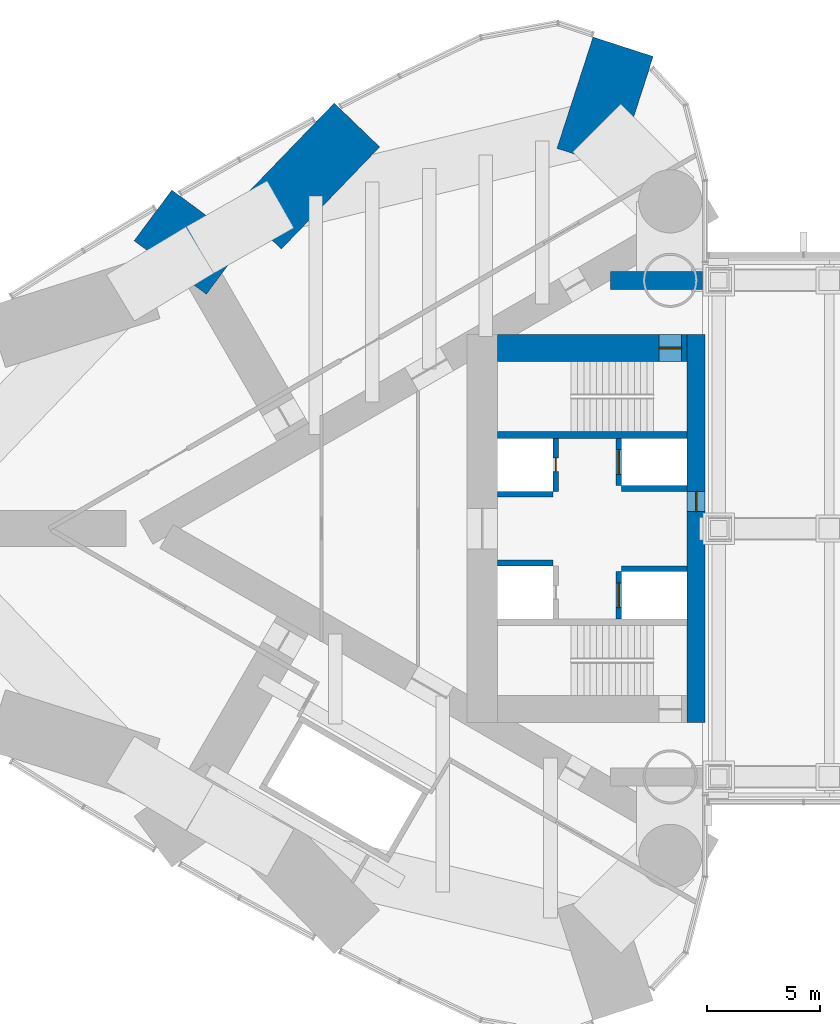
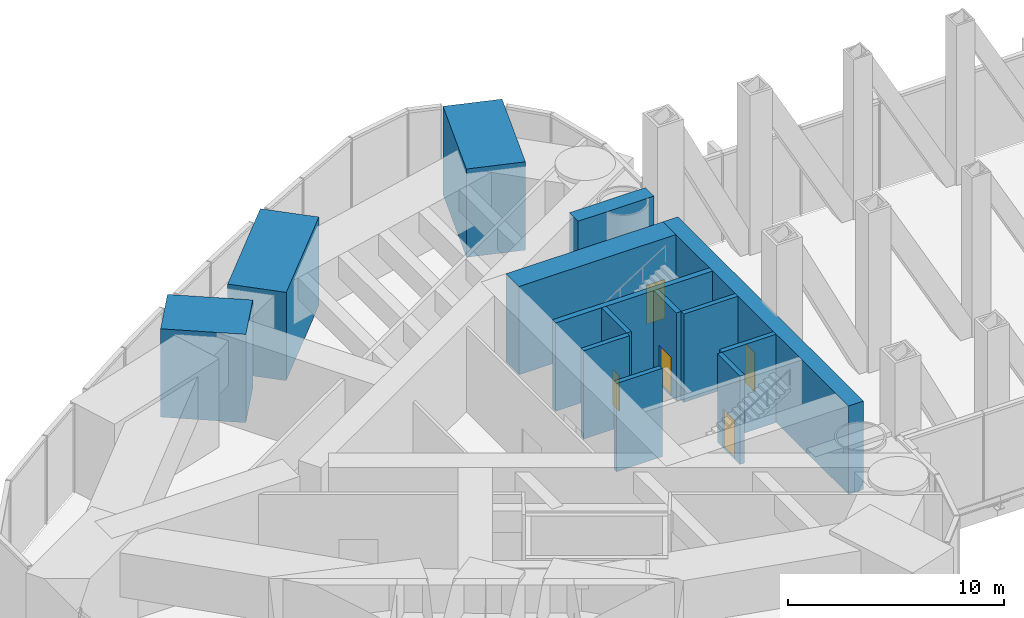
# One storey, part 17 of 21: 14 walls, 5 doors, 5 openings.
"""IFC4 building model written with IfcOpenShell, lengths in metres."""

from ifc_helpers import new_model, si_unit, direction, frame, frame_2d, origin, place, context, subcontext, project, spatial, rectangle, extrude, material, layer, layer_set, type_object, element, fill, save


model = new_model("IFC4")

# Units and contexts
model_context = context("Model", 3, precision=1e-05, world=origin(), true_north=direction((0.0, 1.0)))
body_context = subcontext(model_context, "Body", "Model", "MODEL_VIEW")
ifc_project = project(units=[si_unit("LENGTHUNIT", "METRE"), si_unit("AREAUNIT", "SQUARE_METRE"), si_unit("VOLUMEUNIT", "CUBIC_METRE"), si_unit("PLANEANGLEUNIT", "RADIAN"), si_unit("MASSUNIT", "GRAM", prefix="KILO")], contexts=[model_context])

# Site, building, storey
site_placement = place(None, origin())
site = spatial("IfcSite", under=ifc_project, at=site_placement, CompositionType="ELEMENT")
building_placement = place(site_placement, origin())
building = spatial("IfcBuilding", under=site, at=building_placement, Name="Lancet Gate Hotel", CompositionType="ELEMENT")
storey_placement = place(building_placement, frame((0.0, 0.0, 205.300048828125)))
storey = spatial("IfcBuildingStorey", under=building, at=storey_placement, Name="L55", CompositionType="ELEMENT", Elevation=205.300048828125)

# Wall, opening, door
ifc_material_1 = material(Name="Concrete C70/85", Category="concrete")
ifc_layer_1 = layer(ifc_material_1, 1.199951171875)
ifc_layer_set_1 = layer_set([ifc_layer_1], Name="Core wall 1200")
wall_type_1 = type_object("IfcWallType", Name="Core wall 1200", PredefinedType="SHEAR", material=ifc_layer_set_1)
wall_1_placement = place(storey_placement, frame((-28.300048828125, 8.0, 0.0), z_axis=(0.0, 0.0, 1.0), x_axis=(-1.0, 0.0, 0.0)))
wall_1 = element("IfcWall", 1, at=wall_1_placement, inside=storey, type_object=wall_type_1, Name="T1 core wall side-S L55", PredefinedType="SHEAR", context=body_context, shape_type="SweptSolid", body=[
    extrude(rectangle(XDim=8.39990234375, YDim=1.199951171875, at=frame_2d((4.199951171875, 0.0))), origin(), (0.0, 0.0, 1.0), 5.0),
])
opening_1_placement = place(wall_1_placement, frame((0.25, 0.0, 0.0)))
opening_1 = element("IfcOpeningElement", 2, at=opening_1_placement, cuts=wall_1, Name="Opening T1-L55-ST1", PredefinedType="OPENING", context=body_context, shape_type="SweptSolid", body=[
    extrude(rectangle(XDim=1.0, YDim=2.199951171875, at=frame_2d((0.5, 1.10009765625))), frame((0.0, 0.60986328125, 0.0), z_axis=(0.0, -1.0, 0.0), x_axis=(1.0, 0.0, 0.0)), (0.0, 0.0, 1.0), 1.219970703125),
])
ifc_material_2 = material(Name="Timber door set", Category="wood")
door_type_1 = type_object("IfcDoorType", Name="Stair door 1000", OperationType="SINGLE_SWING_RIGHT", PredefinedType="DOOR", material=ifc_material_2)
door_1_placement = place(opening_1_placement, origin())
door_1 = element("IfcDoor", 3, at=door_1_placement, inside=storey, type_object=door_type_1, Name="T1-L55-ST1", OperationType="SINGLE_SWING_RIGHT", OverallHeight=2.199951171875, OverallWidth=1.0, PredefinedType="DOOR", context=body_context, shape_type="SweptSolid", body=[
    extrude(rectangle(XDim=1.0, YDim=2.199951171875, at=frame_2d((0.5, 1.10009765625))), frame((0.0, 0.02490234375, 0.0), z_axis=(0.0, -1.0, 0.0), x_axis=(1.0, 0.0, 0.0)), (0.0, 0.0, 1.0), 0.050048828125),
])
fill(opening_1, door_1)

ifc_material_3 = material(Name="Concrete C70/85", Category="concrete")
ifc_layer_2 = layer(ifc_material_3, 0.800048828125)
ifc_layer_set_2 = layer_set([ifc_layer_2], Name="Core wall 800")
wall_type_2 = type_object("IfcWallType", Name="Core wall 800", PredefinedType="SHEAR", material=ifc_layer_set_2)
wall_2_placement = place(storey_placement, frame((-27.89990234375, 8.60009765625, 0.0), z_axis=(0.0, 0.0, 1.0), x_axis=(0.0, -1.0, 0.0)))
wall_2 = element("IfcWall", 4, at=wall_2_placement, inside=storey, type_object=wall_type_2, Name="T1 core wall front L55", PredefinedType="SHEAR", context=body_context, shape_type="SweptSolid", body=[
    extrude(rectangle(XDim=17.2001953125, YDim=0.800048828125, at=frame_2d((8.60009765625, 0.0))), origin(), (0.0, 0.0, 1.0), 5.0),
])
opening_2_placement = place(wall_2_placement, frame((6.949951171875, 0.0, 0.0)))
opening_2 = element("IfcOpeningElement", 5, at=opening_2_placement, cuts=wall_2, Name="Opening T1-L55-BR", PredefinedType="OPENING", context=body_context, shape_type="SweptSolid", body=[
    extrude(rectangle(XDim=0.89990234375, YDim=2.199951171875, at=frame_2d((0.449951171875, 1.10009765625))), frame((0.0, 0.409912109375, 0.0), z_axis=(0.0, -1.0, 0.0), x_axis=(1.0, 0.0, 0.0)), (0.0, 0.0, 1.0), 0.820068359375),
])
ifc_material_4 = material(Name="Steel door set", Category="steel")
door_type_2 = type_object("IfcDoorType", Name="Bridge fire door 900", OperationType="SINGLE_SWING_LEFT", PredefinedType="DOOR", material=ifc_material_4)
door_2_placement = place(opening_2_placement, origin())
door_2 = element("IfcDoor", 6, at=door_2_placement, inside=storey, type_object=door_type_2, Name="T1-L55-BR", OperationType="SINGLE_SWING_LEFT", OverallHeight=2.199951171875, OverallWidth=0.89990234375, PredefinedType="DOOR", context=body_context, shape_type="SweptSolid", body=[
    extrude(rectangle(XDim=0.89990234375, YDim=2.199951171875, at=frame_2d((0.449951171875, 1.10009765625))), frame((0.0, 0.02490234375, 0.0), z_axis=(0.0, -1.0, 0.0), x_axis=(1.0, 0.0, 0.0)), (0.0, 0.0, 1.0), 0.050048828125),
])
fill(opening_2, door_2)

ifc_material_5 = material(Name="Concrete C50/60", Category="concrete")
ifc_layer_3 = layer(ifc_material_5, 0.25)
ifc_layer_set_3 = layer_set([ifc_layer_3], Name="Lift shaft wall 250")
wall_type_3 = type_object("IfcWallType", Name="Lift shaft wall 250", PredefinedType="SHEAR", material=ifc_layer_set_3)
wall_3_placement = place(storey_placement, frame((-31.324951171875, 4.0, 0.0), z_axis=(0.0, 0.0, 1.0), x_axis=(0.0, -1.0, 0.0)))
wall_3 = element("IfcWall", 7, at=wall_3_placement, inside=storey, type_object=wall_type_3, Name="T1 core wall row1-S L55", PredefinedType="SHEAR", context=body_context, shape_type="SweptSolid", body=[
    extrude(rectangle(XDim=2.10009765625, YDim=0.25, at=frame_2d((1.050048828125, 0.0))), origin(), (0.0, 0.0, 1.0), 5.0),
])
opening_3_placement = place(wall_3_placement, frame((0.5, 0.0, 0.0)))
opening_3 = element("IfcOpeningElement", 8, at=opening_3_placement, cuts=wall_3, Name="Opening T1-SL1-L55", PredefinedType="OPENING", context=body_context, shape_type="SweptSolid", body=[
    extrude(rectangle(XDim=1.10009765625, YDim=2.199951171875, at=frame_2d((0.550048828125, 1.10009765625))), frame((0.0, 0.135009765625, 0.0), z_axis=(0.0, -1.0, 0.0), x_axis=(1.0, 0.0, 0.0)), (0.0, 0.0, 1.0), 0.27001953125),
])
ifc_material_6 = material(Name="Timber door set", Category="wood")
door_type_3 = type_object("IfcDoorType", Name="Service lift landing door 1100", OperationType="SLIDING_TO_LEFT", PredefinedType="USERDEFINED", material=ifc_material_6)
door_3_placement = place(opening_3_placement, origin())
door_3 = element("IfcDoor", 9, at=door_3_placement, inside=storey, type_object=door_type_3, Name="T1-SL1-L55", ObjectType="LIFT LANDING DOOR", OperationType="SLIDING_TO_LEFT", OverallHeight=2.199951171875, OverallWidth=1.10009765625, PredefinedType="USERDEFINED", context=body_context, shape_type="SweptSolid", body=[
    extrude(rectangle(XDim=1.10009765625, YDim=2.199951171875, at=frame_2d((0.550048828125, 1.10009765625))), frame((0.0, 0.02490234375, 0.0), z_axis=(0.0, -1.0, 0.0), x_axis=(1.0, 0.0, 0.0)), (0.0, 0.0, 1.0), 0.050048828125),
])
fill(opening_3, door_3)

wall_4_placement = place(storey_placement, frame((-34.125, 4.0, 0.0), z_axis=(0.0, 0.0, 1.0), x_axis=(0.0, -1.0, 0.0)))
wall_4 = element("IfcWall", 10, at=wall_4_placement, inside=storey, type_object=wall_type_3, Name="T1 core wall row2-S L55", PredefinedType="SHEAR", context=body_context, shape_type="SweptSolid", body=[
    extrude(rectangle(XDim=2.35009765625, YDim=0.25, at=frame_2d((1.175048828125, 0.0))), origin(), (0.0, 0.0, 1.0), 5.0),
])
opening_4_placement = place(wall_4_placement, frame((0.875, 0.0, 0.0)))
opening_4 = element("IfcOpeningElement", 11, at=opening_4_placement, cuts=wall_4, Name="Opening T1-OL3-L55-E", PredefinedType="OPENING", context=body_context, shape_type="SweptSolid", body=[
    extrude(rectangle(XDim=0.60009765625, YDim=2.0, at=frame_2d((0.300048828125, 1.0))), frame((0.0, 0.135009765625, 0.0), z_axis=(0.0, -1.0, 0.0), x_axis=(1.0, 0.0, 0.0)), (0.0, 0.0, 1.0), 0.27001953125),
])
ifc_material_7 = material(Name="Steel door set", Category="steel")
door_type_4 = type_object("IfcDoorType", Name="Lift shaft emergency door 600x2000", OperationType="SLIDING_TO_LEFT", PredefinedType="DOOR", material=ifc_material_7)
door_4_placement = place(opening_4_placement, origin())
door_4 = element("IfcDoor", 12, at=door_4_placement, inside=storey, type_object=door_type_4, Name="T1-OL3-L55-E", OperationType="SLIDING_TO_LEFT", OverallHeight=2.0, OverallWidth=0.60009765625, PredefinedType="DOOR", context=body_context, shape_type="SweptSolid", body=[
    extrude(rectangle(XDim=0.60009765625, YDim=2.0, at=frame_2d((0.300048828125, 1.0))), frame((0.0, 0.02490234375, 0.0), z_axis=(0.0, -1.0, 0.0), x_axis=(1.0, 0.0, 0.0)), (0.0, 0.0, 1.0), 0.050048828125),
])
fill(opening_4, door_4)

# Walls
wall_5_placement = place(storey_placement, frame((-28.300048828125, 1.77490234375, 0.0), z_axis=(0.0, 0.0, 1.0), x_axis=(-1.0, 0.0, 0.0)))
element("IfcWall", 13, at=wall_5_placement, inside=storey, type_object=wall_type_3, Name="T1 core wall pass1-S L55", PredefinedType="SHEAR", context=body_context, shape_type="SweptSolid", body=[
    extrude(rectangle(XDim=2.89990234375, YDim=0.25, at=frame_2d((1.449951171875, 0.0))), origin(), (0.0, 0.0, 1.0), 5.0),
])
wall_6_placement = place(storey_placement, frame((-34.25, 1.52490234375, 0.0), z_axis=(0.0, 0.0, 1.0), x_axis=(-1.0, 0.0, 0.0)))
element("IfcWall", 14, at=wall_6_placement, inside=storey, type_object=wall_type_3, Name="T1 core wall pass2-S L55", PredefinedType="SHEAR", context=body_context, shape_type="SweptSolid", body=[
    extrude(rectangle(XDim=2.449951171875, YDim=0.25, at=frame_2d((1.22509765625, 0.0))), origin(), (0.0, 0.0, 1.0), 5.0),
])

# Wall, opening, door
wall_7_placement = place(storey_placement, frame((-31.324951171875, -1.89990234375, 0.0), z_axis=(0.0, 0.0, 1.0), x_axis=(0.0, -1.0, 0.0)))
wall_7 = element("IfcWall", 15, at=wall_7_placement, inside=storey, type_object=wall_type_3, Name="T1 core wall row1-N L55", PredefinedType="SHEAR", context=body_context, shape_type="SweptSolid", body=[
    extrude(rectangle(XDim=2.10009765625, YDim=0.25, at=frame_2d((1.050048828125, 0.0))), origin(), (0.0, 0.0, 1.0), 5.0),
])
opening_5_placement = place(wall_7_placement, frame((0.5, 0.0, 0.0)))
opening_5 = element("IfcOpeningElement", 16, at=opening_5_placement, cuts=wall_7, Name="Opening T1-FL2-L55", PredefinedType="OPENING", context=body_context, shape_type="SweptSolid", body=[
    extrude(rectangle(XDim=1.10009765625, YDim=2.199951171875, at=frame_2d((0.550048828125, 1.10009765625))), frame((0.0, 0.135009765625, 0.0), z_axis=(0.0, -1.0, 0.0), x_axis=(1.0, 0.0, 0.0)), (0.0, 0.0, 1.0), 0.27001953125),
])
ifc_material_8 = material(Name="Steel door set", Category="steel")
door_type_5 = type_object("IfcDoorType", Name="Firefighting lift landing door 1100", OperationType="SLIDING_TO_LEFT", PredefinedType="USERDEFINED", material=ifc_material_8)
door_5_placement = place(opening_5_placement, origin())
door_5 = element("IfcDoor", 17, at=door_5_placement, inside=storey, type_object=door_type_5, Name="T1-FL2-L55", ObjectType="LIFT LANDING DOOR", OperationType="SLIDING_TO_LEFT", OverallHeight=2.199951171875, OverallWidth=1.10009765625, PredefinedType="USERDEFINED", context=body_context, shape_type="SweptSolid", body=[
    extrude(rectangle(XDim=1.10009765625, YDim=2.199951171875, at=frame_2d((0.550048828125, 1.10009765625))), frame((0.0, 0.02490234375, 0.0), z_axis=(0.0, -1.0, 0.0), x_axis=(1.0, 0.0, 0.0)), (0.0, 0.0, 1.0), 0.050048828125),
])
fill(opening_5, door_5)

# Walls
wall_8_placement = place(storey_placement, frame((-28.300048828125, -1.77490234375, 0.0), z_axis=(0.0, 0.0, 1.0), x_axis=(-1.0, 0.0, 0.0)))
element("IfcWall", 18, at=wall_8_placement, inside=storey, type_object=wall_type_3, Name="T1 core wall pass1-N L55", PredefinedType="SHEAR", context=body_context, shape_type="SweptSolid", body=[
    extrude(rectangle(XDim=2.89990234375, YDim=0.25, at=frame_2d((1.449951171875, 0.0))), origin(), (0.0, 0.0, 1.0), 5.0),
])
wall_9_placement = place(storey_placement, frame((-34.25, -1.52490234375, 0.0), z_axis=(0.0, 0.0, 1.0), x_axis=(-1.0, 0.0, 0.0)))
element("IfcWall", 19, at=wall_9_placement, inside=storey, type_object=wall_type_3, Name="T1 core wall pass2-N L55", PredefinedType="SHEAR", context=body_context, shape_type="SweptSolid", body=[
    extrude(rectangle(XDim=2.449951171875, YDim=0.25, at=frame_2d((1.22509765625, 0.0))), origin(), (0.0, 0.0, 1.0), 5.0),
])
ifc_material_9 = material(Name="Concrete C70/85", Category="concrete")
ifc_layer_4 = layer(ifc_material_9, 0.800048828125)
ifc_layer_set_4 = layer_set([ifc_layer_4], Name="Outrigger wall 800, truss lines")
wall_type_4 = type_object("IfcWallType", Name="Outrigger wall 800, truss lines", PredefinedType="SHEAR", material=ifc_layer_set_4)
wall_10_placement = place(storey_placement, frame((-27.6201171875, 11.0, 0.0), z_axis=(0.0, 0.0, 1.0), x_axis=(-1.0, 0.0, 0.0)))
element("IfcWall", 20, at=wall_10_placement, inside=storey, type_object=wall_type_4, Name="T1 transfer wall TN L55", PredefinedType="SHEAR", context=body_context, shape_type="SweptSolid", body=[
    extrude(rectangle(XDim=4.07568359375, YDim=0.800048828125, at=frame_2d((2.037841796875, 0.0))), origin(), (0.0, 0.0, 1.0), 5.0),
])
ifc_material_10 = material(Name="Concrete C80/95", Category="concrete")
ifc_layer_5 = layer(ifc_material_10, 2.800048828125)
ifc_layer_set_5 = layer_set([ifc_layer_5], Name="Radial transfer wall 2800")
wall_type_5 = type_object("IfcWallType", Name="Radial transfer wall 2800", PredefinedType="SHEAR", material=ifc_layer_set_5)
wall_11_placement = place(storey_placement, frame((-31.1337890625, 21.34765625, 0.0), z_axis=(0.0, 0.0, 1.0), x_axis=(-0.308266410133, -0.951300068529, 0.0)))
element("IfcWall", 21, at=wall_11_placement, inside=storey, type_object=wall_type_5, Name="T1 radial transfer wall CS L55", PredefinedType="SHEAR", context=body_context, shape_type="SweptSolid", body=[
    extrude(rectangle(XDim=5.186767578125, YDim=2.800048828125, at=frame_2d((2.59326171875, 0.0))), origin(), (0.0, 0.0, 1.0), 5.0),
])
wall_12_placement = place(storey_placement, frame((-42.9287109375, 17.879150390625, 0.0), z_axis=(0.0, 0.0, 1.0), x_axis=(-0.694103918888, -0.719874815356, 0.0)))
element("IfcWall", 22, at=wall_12_placement, inside=storey, type_object=wall_type_5, Name="T1 radial transfer wall OS1 L55", PredefinedType="SHEAR", context=body_context, shape_type="SweptSolid", body=[
    extrude(rectangle(XDim=6.281005859375, YDim=2.800048828125, at=frame_2d((3.140625, 0.0))), origin(), (0.0, 0.0, 1.0), 5.0),
])
wall_13_placement = place(storey_placement, frame((-51.963623046875, 13.876953125, 0.0), z_axis=(0.0, 0.0, 1.0), x_axis=(0.80337247009, -0.595476846151, 0.0)))
element("IfcWall", 23, at=wall_13_placement, inside=storey, type_object=wall_type_5, Name="T1 radial transfer wall OS2 L55", PredefinedType="SHEAR", context=body_context, shape_type="SweptSolid", body=[
    extrude(rectangle(XDim=3.98095703125, YDim=2.800048828125, at=frame_2d((1.990478515625, 0.0))), origin(), (0.0, 0.0, 1.0), 5.0),
])
ifc_material_11 = material(Name="Concrete C50/60", Category="concrete")
ifc_layer_6 = layer(ifc_material_11, 0.300048828125)
ifc_layer_set_6 = layer_set([ifc_layer_6], Name="Stair enclosure wall 300")
wall_type_6 = type_object("IfcWallType", Name="Stair enclosure wall 300", PredefinedType="SHEAR", material=ifc_layer_set_6)
wall_14_placement = place(storey_placement, frame((-28.300048828125, 4.14990234375, 0.0), z_axis=(0.0, 0.0, 1.0), x_axis=(-1.0, 0.0, 0.0)))
element("IfcWall", 24, at=wall_14_placement, inside=storey, type_object=wall_type_6, Name="T1 core wall stair-S L55", PredefinedType="SHEAR", context=body_context, shape_type="SweptSolid", body=[
    extrude(rectangle(XDim=8.39990234375, YDim=0.300048828125, at=frame_2d((4.199951171875, 0.0))), origin(), (0.0, 0.0, 1.0), 5.0),
])

save(model, "model.ifc")
